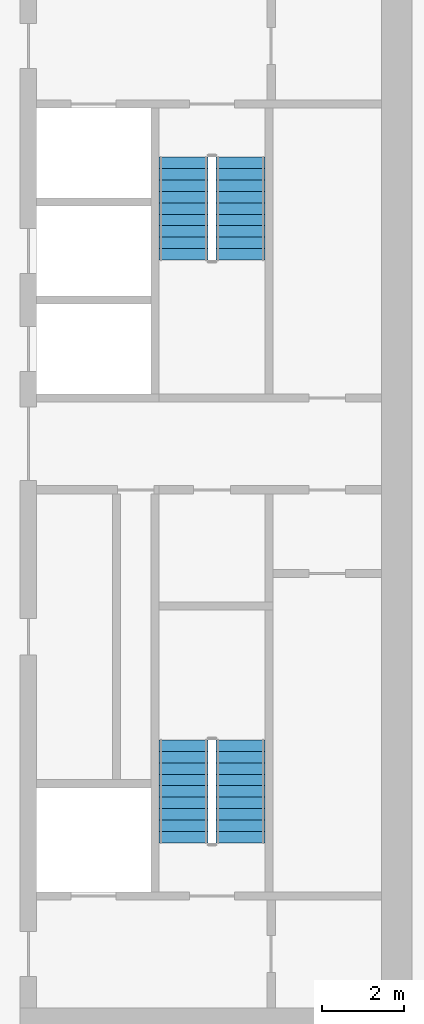
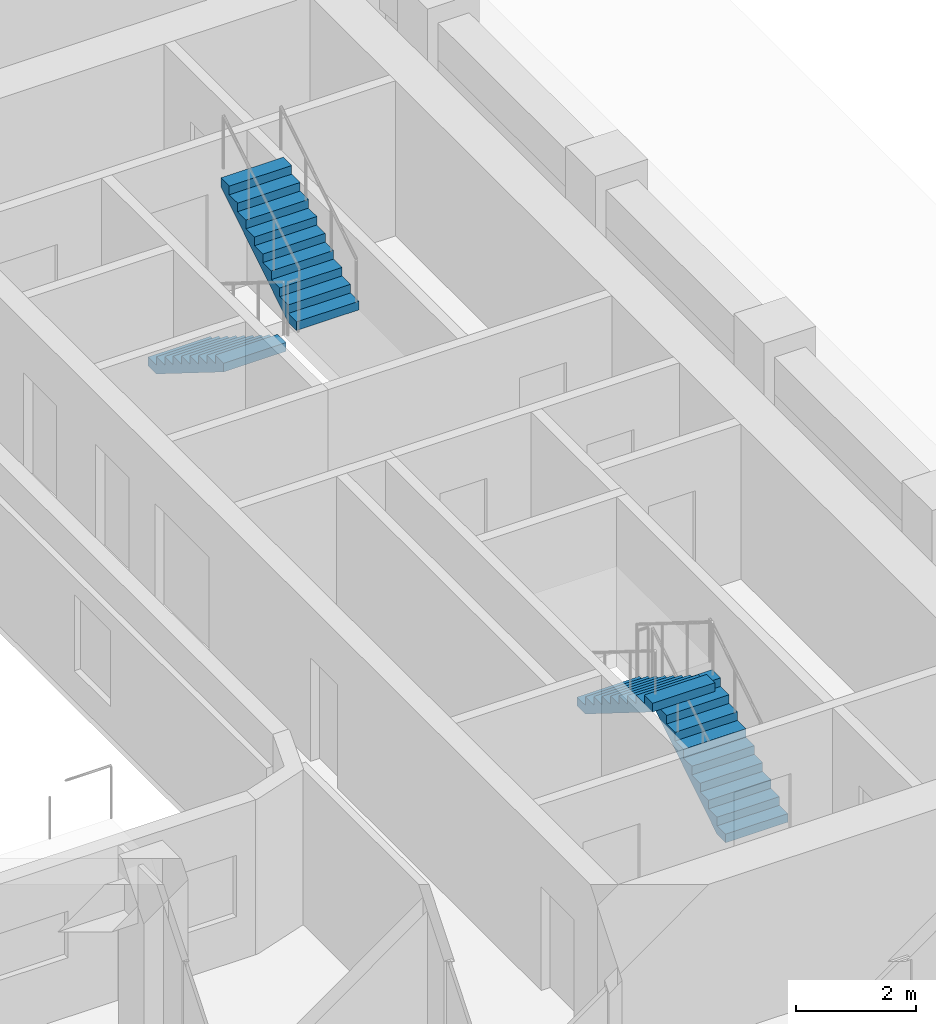
# One storey, part 10 of 17: 4 stair flights, 2 elements without a shape of their own.
"""IFC4 building model written with IfcOpenShell, lengths in metres."""

from ifc_helpers import new_model, si_unit, direction, frame, origin, place, context, subcontext, project, spatial, polyline, outline, extrude, material, type_object, element, aggregate, save


model = new_model("IFC4")

# Units and contexts
model_context = context("Model", 3, precision=1e-05, world=origin(), true_north=direction((0.0, 1.0)))
body_context = subcontext(model_context, "Body", "Model", "MODEL_VIEW")
ifc_project = project(units=[si_unit("LENGTHUNIT", "METRE"), si_unit("AREAUNIT", "SQUARE_METRE"), si_unit("VOLUMEUNIT", "CUBIC_METRE"), si_unit("PLANEANGLEUNIT", "RADIAN"), si_unit("MASSUNIT", "GRAM", prefix="KILO")], contexts=[model_context])

# Site, building, storey
site_placement = place(None, origin())
site = spatial("IfcSite", under=ifc_project, at=site_placement, CompositionType="ELEMENT")
building_placement = place(site_placement, origin())
building = spatial("IfcBuilding", under=site, at=building_placement, Name="Kiln Ring Residences", CompositionType="ELEMENT")
storey_placement = place(building_placement, frame((0.0, 0.0, 174.60009765625)))
storey = spatial("IfcBuildingStorey", under=building, at=storey_placement, Name="L45", CompositionType="ELEMENT", Elevation=174.60009765625)

# Stair, stair flights
ifc_material_1 = material(Name="Concrete C40/50", Category="concrete")
stair_type = type_object("IfcStairType", Name="CORE-STAIR", PredefinedType="HALF_TURN_STAIR", material=ifc_material_1)
placement = place(storey_placement, origin())
stair_1 = element("IfcStair", 1, at=placement, inside=storey, type_object=stair_type, Name="L45 stair E-STN", PredefinedType="HALF_TURN_STAIR")
ifc_material_2 = material(Name="Concrete C40/50", Category="concrete")
stair_flight_type = type_object("IfcStairFlightType", Name="CORE-STAIR-FLIGHT", PredefinedType="STRAIGHT", material=ifc_material_2)
stair_flight_1_placement = place(storey_placement, frame((21.39990234375, 8.39990234375, 0.0), z_axis=(0.0, 0.0, 1.0), x_axis=(0.0, -1.0, 0.0)))
stair_flight_1 = element("IfcStairFlight", 2, at=stair_flight_1_placement, type_object=stair_flight_type, Name="E-STN flight 1", NumberOfRisers=10, NumberOfTreads=9, PredefinedType="STRAIGHT", RiserHeight=0.175, TreadLength=0.28, context=body_context, shape_type="SweptSolid", body=[
    extrude(outline(polyline([(0.0, 0.0), (0.0, 0.175048828125), (0.280029296875, 0.175048828125), (0.280029296875, 0.35009765625), (0.56005859375, 0.35009765625), (0.56005859375, 0.52490234375), (0.840087890625, 0.52490234375), (0.840087890625, 0.699951171875), (1.1201171875, 0.699951171875), (1.1201171875, 0.875), (1.39990234375, 0.875), (1.39990234375, 1.050048828125), (1.679931640625, 1.050048828125), (1.679931640625, 1.22509765625), (1.9599609375, 1.22509765625), (1.9599609375, 1.39990234375), (2.239990234375, 1.39990234375), (2.239990234375, 1.574951171875), (2.52001953125, 1.574951171875), (2.52001953125, 1.75), (2.52001953125, 1.398193359375), (0.28271484375, 0.0), (0.0, 0.0)])), frame((0.0, 0.60009765625, 0.0), z_axis=(0.0, -1.0, 0.0), x_axis=(1.0, 0.0, 0.0)), (0.0, 0.0, 1.0), 1.199951171875),
])
stair_flight_2_placement = place(storey_placement, frame((22.800048828125, 5.8798828125, 1.75), z_axis=(0.0, 0.0, 1.0), x_axis=(0.0, 1.0, 0.0)))
stair_flight_2 = element("IfcStairFlight", 3, at=stair_flight_2_placement, type_object=stair_flight_type, Name="E-STN flight 2", NumberOfRisers=10, NumberOfTreads=9, PredefinedType="STRAIGHT", RiserHeight=0.175, TreadLength=0.28, context=body_context, shape_type="SweptSolid", body=[
    extrude(outline(polyline([(0.0, 0.0), (0.0, 0.175048828125), (0.280029296875, 0.175048828125), (0.280029296875, 0.35009765625), (0.56005859375, 0.35009765625), (0.56005859375, 0.52490234375), (0.840087890625, 0.52490234375), (0.840087890625, 0.699951171875), (1.1201171875, 0.699951171875), (1.1201171875, 0.875), (1.39990234375, 0.875), (1.39990234375, 1.050048828125), (1.679931640625, 1.050048828125), (1.679931640625, 1.22509765625), (1.9599609375, 1.22509765625), (1.9599609375, 1.39990234375), (2.239990234375, 1.39990234375), (2.239990234375, 1.574951171875), (2.52001953125, 1.574951171875), (2.52001953125, 1.75), (2.52001953125, 1.398193359375), (0.28271484375, 0.0), (0.0, 0.0)])), frame((0.0, 0.60009765625, 0.0), z_axis=(0.0, -1.0, 0.0), x_axis=(1.0, 0.0, 0.0)), (0.0, 0.0, 1.0), 1.199951171875),
])
aggregate(stair_1, [stair_flight_1, stair_flight_2])

stair_2 = element("IfcStair", 4, at=placement, inside=storey, type_object=stair_type, Name="L45 stair E-STS", PredefinedType="HALF_TURN_STAIR")
stair_flight_3_placement = place(storey_placement, frame((22.800048828125, -8.39990234375, 0.0), z_axis=(0.0, 0.0, 1.0), x_axis=(0.0, 1.0, 0.0)))
stair_flight_3 = element("IfcStairFlight", 5, at=stair_flight_3_placement, type_object=stair_flight_type, Name="E-STS flight 1", NumberOfRisers=10, NumberOfTreads=9, PredefinedType="STRAIGHT", RiserHeight=0.175, TreadLength=0.28, context=body_context, shape_type="SweptSolid", body=[
    extrude(outline(polyline([(0.0, 0.0), (0.0, 0.175048828125), (0.280029296875, 0.175048828125), (0.280029296875, 0.35009765625), (0.56005859375, 0.35009765625), (0.56005859375, 0.52490234375), (0.840087890625, 0.52490234375), (0.840087890625, 0.699951171875), (1.1201171875, 0.699951171875), (1.1201171875, 0.875), (1.39990234375, 0.875), (1.39990234375, 1.050048828125), (1.679931640625, 1.050048828125), (1.679931640625, 1.22509765625), (1.9599609375, 1.22509765625), (1.9599609375, 1.39990234375), (2.239990234375, 1.39990234375), (2.239990234375, 1.574951171875), (2.52001953125, 1.574951171875), (2.52001953125, 1.75), (2.52001953125, 1.398193359375), (0.28271484375, 0.0), (0.0, 0.0)])), frame((0.0, 0.60009765625, 0.0), z_axis=(0.0, -1.0, 0.0), x_axis=(1.0, 0.0, 0.0)), (0.0, 0.0, 1.0), 1.199951171875),
])
stair_flight_4_placement = place(storey_placement, frame((21.39990234375, -5.8798828125, 1.75), z_axis=(0.0, 0.0, 1.0), x_axis=(0.0, -1.0, 0.0)))
stair_flight_4 = element("IfcStairFlight", 6, at=stair_flight_4_placement, type_object=stair_flight_type, Name="E-STS flight 2", NumberOfRisers=10, NumberOfTreads=9, PredefinedType="STRAIGHT", RiserHeight=0.175, TreadLength=0.28, context=body_context, shape_type="SweptSolid", body=[
    extrude(outline(polyline([(0.0, 0.0), (0.0, 0.175048828125), (0.280029296875, 0.175048828125), (0.280029296875, 0.35009765625), (0.56005859375, 0.35009765625), (0.56005859375, 0.52490234375), (0.840087890625, 0.52490234375), (0.840087890625, 0.699951171875), (1.1201171875, 0.699951171875), (1.1201171875, 0.875), (1.39990234375, 0.875), (1.39990234375, 1.050048828125), (1.679931640625, 1.050048828125), (1.679931640625, 1.22509765625), (1.9599609375, 1.22509765625), (1.9599609375, 1.39990234375), (2.239990234375, 1.39990234375), (2.239990234375, 1.574951171875), (2.52001953125, 1.574951171875), (2.52001953125, 1.75), (2.52001953125, 1.398193359375), (0.28271484375, 0.0), (0.0, 0.0)])), frame((0.0, 0.60009765625, 0.0), z_axis=(0.0, -1.0, 0.0), x_axis=(1.0, 0.0, 0.0)), (0.0, 0.0, 1.0), 1.199951171875),
])
aggregate(stair_2, [stair_flight_3, stair_flight_4])

save(model, "model.ifc")
